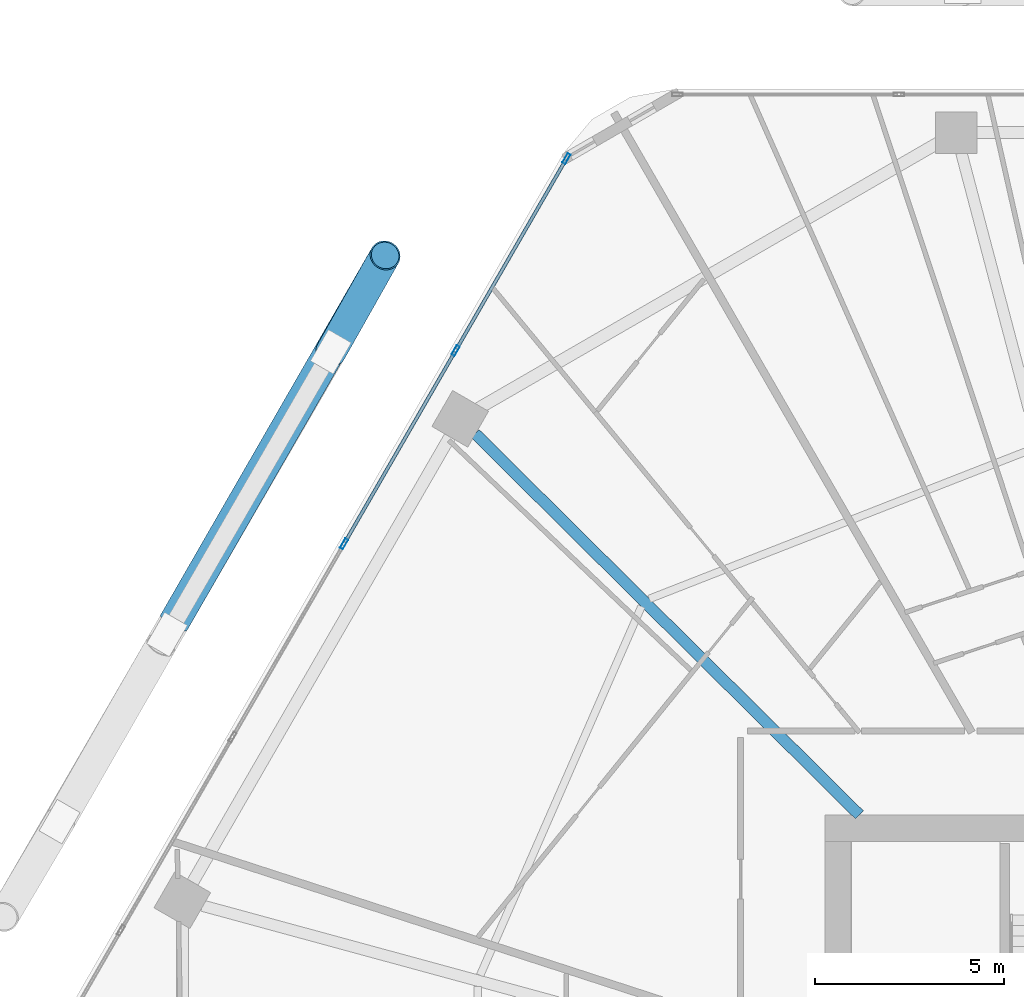
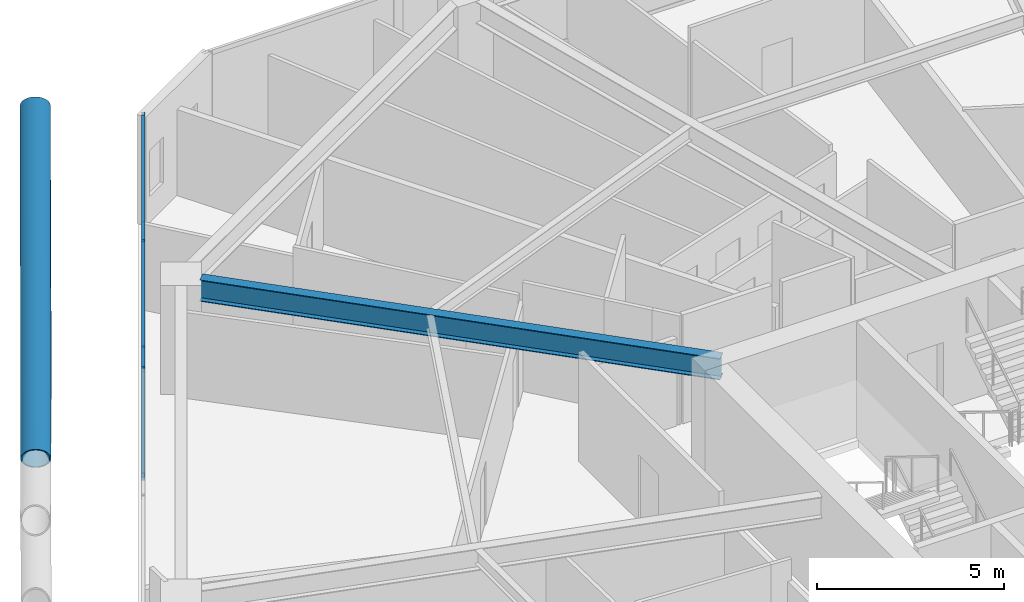
# One storey, part 16 of 34: 9 members, 1 beam, 1 element without a shape of its own.
"""IFC4 building model written with IfcOpenShell, lengths in metres."""

import ifcopenshell
import ifcopenshell.guid

model = None  # the IFC model being written
_history = None  # IfcOwnerHistory: only IFC2X3 demands one
_inside = {}  # id of a spatial element -> (the spatial element, [elements in it])
_under = {}  # id of a project, library or spatial element -> (it, [spatial elements below it])
_declared = {}  # id of a project -> (the project, [libraries it declares])
_typed = {}  # id of a type object -> (the type object, [elements of that type])
_made_of = {}  # id of a material, layer set ... -> (it, [elements and type objects made of it])


def new_model(schema):
    """Start an empty IFC model of exactly this schema.

    Asked for "IFC4X3", IfcOpenShell would pick the latest addendum, in which some entities
    have other attributes; the version numbers below select the first issue.
    IFC2X3 requires an IfcOwnerHistory on every rooted entity: one is made here for all.
    """
    global model, _history
    if schema == "IFC4X3":
        model = ifcopenshell.file(schema_version=(4, 3, 0, 0))
    else:
        model = ifcopenshell.file(schema=schema)
    _inside.clear()
    _under.clear()
    _declared.clear()
    _typed.clear()
    _made_of.clear()
    _history = None
    if model.schema == "IFC2X3":
        org = make("IfcOrganization", Name="unknown")
        user = make(
            "IfcPersonAndOrganization",
            ThePerson=make("IfcPerson", FamilyName="unknown"),
            TheOrganization=org,
        )
        app = make(
            "IfcApplication",
            ApplicationDeveloper=org,
            Version="unknown",
            ApplicationFullName="unknown",
            ApplicationIdentifier="unknown",
        )
        _history = make(
            "IfcOwnerHistory",
            OwningUser=user,
            OwningApplication=app,
            ChangeAction="ADDED",
            CreationDate=0,
        )
    return model


def make(cls, **values):
    """One entity of the class cls with the attributes given. An attribute that is None is left unset."""
    return model.create_entity(
        cls, **{name: value for name, value in values.items() if value is not None}
    )


def rooted(cls, **values):
    """An entity with a GlobalId (a new one), such as an element, a storey or a relation."""
    return make(cls, GlobalId=ifcopenshell.guid.new(), OwnerHistory=_history, **values)


def si_unit(unit_type, name, prefix=None):
    """IfcSIUnit, for example si_unit("LENGTHUNIT", "METRE", prefix="MILLI")."""
    return make("IfcSIUnit", UnitType=unit_type, Prefix=prefix, Name=name)


def assignment(units):
    """IfcUnitAssignment: the units of a project."""
    return None if units is None else make("IfcUnitAssignment", Units=units)


def point(xyz):
    """IfcCartesianPoint."""
    return None if xyz is None else make("IfcCartesianPoint", Coordinates=xyz)


def direction(xyz):
    """IfcDirection."""
    return None if xyz is None else make("IfcDirection", DirectionRatios=xyz)


def frame(location, z_axis=None, x_axis=None):
    """IfcAxis2Placement3D, a coordinate frame: its origin and axes. An axis left out is left unset."""
    return make(
        "IfcAxis2Placement3D",
        Location=point(location),
        Axis=direction(z_axis),
        RefDirection=direction(x_axis),
    )


def frame_2d(location, x_axis=None):
    """IfcAxis2Placement2D, a coordinate frame in the plane: its origin and x axis."""
    return make(
        "IfcAxis2Placement2D", Location=point(location), RefDirection=direction(x_axis)
    )


def origin():
    """The frame at (0, 0, 0) with its axes left unset."""
    return frame((0.0, 0.0, 0.0))


def origin_2d():
    """The frame at (0, 0) in the plane with its x axis left unset."""
    return frame_2d((0.0, 0.0))


def place(relative_to, where):
    """IfcLocalPlacement: puts the frame where relative to a parent placement (None: the world)."""
    return make(
        "IfcLocalPlacement", PlacementRelTo=relative_to, RelativePlacement=where
    )


def context(
    kind, dimensions, precision=None, world=None, true_north=None, identifier=None
):
    """IfcGeometricRepresentationContext, for example the 3D "Model" context."""
    return make(
        "IfcGeometricRepresentationContext",
        ContextIdentifier=identifier,
        ContextType=kind,
        CoordinateSpaceDimension=dimensions,
        Precision=precision,
        WorldCoordinateSystem=world,
        TrueNorth=true_north,
    )


def subcontext(parent, identifier, kind, view, scale=None):
    """IfcGeometricRepresentationSubContext, for example "Body" below "Model"."""
    return make(
        "IfcGeometricRepresentationSubContext",
        ContextIdentifier=identifier,
        ContextType=kind,
        ParentContext=parent,
        TargetScale=scale,
        TargetView=view,
    )


def project(units=None, contexts=None):
    """IfcProject with its units and contexts."""
    return rooted(
        "IfcProject",
        Name="project",
        RepresentationContexts=contexts,
        UnitsInContext=assignment(units),
    )


def spatial(cls, under=None, at=None, **own):
    """A site, building, storey or space (cls), placed at a placement, below another one or the project."""
    s = rooted(cls, ObjectPlacement=at, **own)
    if under is not None:
        _under.setdefault(under.id(), (under, []))[1].append(s)
    return s


def profile(cls, at=None, kind="AREA", **sizes):
    """A parametric profile (cls). Its sizes go by their IFC names, for example OverallWidth=200.0."""
    return make(cls, ProfileType=kind, Position=at, **sizes)


def hollow_rectangle(**sizes):
    """IfcRectangleHollowProfileDef."""
    return profile("IfcRectangleHollowProfileDef", **sizes)


def hollow_circle(**sizes):
    """IfcCircleHollowProfileDef."""
    return profile("IfcCircleHollowProfileDef", **sizes)


def i_section(**sizes):
    """IfcIShapeProfileDef."""
    return profile("IfcIShapeProfileDef", **sizes)


def extrude(swept, where, along, depth):
    """IfcExtrudedAreaSolid: the profile swept, set in the frame where, extruded along a direction by depth."""
    return make(
        "IfcExtrudedAreaSolid",
        SweptArea=swept,
        Position=where,
        ExtrudedDirection=direction(along),
        Depth=depth,
    )


def shape(context_of_items, identifier, shape_type, items):
    """IfcShapeRepresentation: the items that make up one representation, for example the "Body"."""
    return make(
        "IfcShapeRepresentation",
        ContextOfItems=context_of_items,
        RepresentationIdentifier=identifier,
        RepresentationType=shape_type,
        Items=items,
    )


def material(Name=None, Category=None):
    """IfcMaterial."""
    return make("IfcMaterial", Name=Name, Category=Category)


def material_profile(
    of_material, cross_section, Name=None, Category=None, Priority=None
):
    """IfcMaterialProfile: a cross section and its material."""
    return make(
        "IfcMaterialProfile",
        Name=Name,
        Material=of_material,
        Profile=cross_section,
        Priority=Priority,
        Category=Category,
    )


def profile_set(profiles, Name=None, composite=None):
    """IfcMaterialProfileSet."""
    return make(
        "IfcMaterialProfileSet",
        Name=Name,
        MaterialProfiles=profiles,
        CompositeProfile=composite,
    )


def made_of(thing, what):
    """Note that an element or type object is made of a material, layer set ...; save() writes the relation."""
    if what is not None:
        _made_of.setdefault(what.id(), (what, []))[1].append(thing)
    return thing


def type_object(cls, material=None, **own):
    """A type object (cls), such as IfcWallType, which elements share."""
    return made_of(rooted(cls, **own), material)


def element(
    cls,
    number,
    at=None,
    inside=None,
    cuts=None,
    type_object=None,
    material=None,
    context=None,
    identifier="Body",
    shape_type=None,
    held_by="IfcProductDefinitionShape",
    body=None,
    shapes=None,
    **own,
):
    """One element of the class cls, such as IfcWall. Its Tag is "e" and its number.

    at: its placement. inside: the storey or other place that contains it. cuts: it is an
    opening in that element (IfcRelVoidsElement). A single representation is given by context,
    identifier, shape_type and body (its items); several are given by shapes. held_by: the class
    of the entity that holds the representations. save() writes the other relations.
    """
    e = rooted(cls, Tag="e%d" % number, ObjectPlacement=at, **own)
    if body is not None:
        shapes = [shape(context, identifier, shape_type, body)]
    if shapes is not None:
        e.Representation = make(held_by, Representations=shapes)
    if inside is not None:
        _inside.setdefault(inside.id(), (inside, []))[1].append(e)
    if cuts is not None:
        rooted(
            "IfcRelVoidsElement", RelatingBuildingElement=cuts, RelatedOpeningElement=e
        )
    if type_object is not None:
        _typed.setdefault(type_object.id(), (type_object, []))[1].append(e)
    return made_of(e, material)


def aggregate(whole, parts):
    """IfcRelAggregates: a whole, such as a stair, and the parts it consists of."""
    return rooted("IfcRelAggregates", RelatingObject=whole, RelatedObjects=parts)


def save(model, path):
    """Write the relations noted so far, then the file.

    IfcRelAggregates (storeys below a building ...), IfcRelContainedInSpatialStructure (elements
    in a storey), IfcRelDefinesByType, IfcRelAssociatesMaterial and IfcRelDeclares: one each for
    every whole, place, type object, material and project.
    """
    for whole, parts in _under.values():
        aggregate(whole, parts)
    for where, things in _inside.values():
        rooted(
            "IfcRelContainedInSpatialStructure",
            RelatedElements=things,
            RelatingStructure=where,
        )
    for kind, things in _typed.values():
        rooted("IfcRelDefinesByType", RelatedObjects=things, RelatingType=kind)
    for what, things in _made_of.values():
        rooted("IfcRelAssociatesMaterial", RelatedObjects=things, RelatingMaterial=what)
    for by, libraries in _declared.values():
        rooted("IfcRelDeclares", RelatingContext=by, RelatedDefinitions=libraries)
    model.write(path)


model = new_model("IFC4")

# Units and contexts
model_context = context("Model", 3, precision=1e-05, world=origin(), true_north=direction((0.0, 1.0)))
body_context = subcontext(model_context, "Body", "Model", "MODEL_VIEW")
ifc_project = project(units=[si_unit("LENGTHUNIT", "METRE"), si_unit("AREAUNIT", "SQUARE_METRE"), si_unit("VOLUMEUNIT", "CUBIC_METRE"), si_unit("PLANEANGLEUNIT", "RADIAN"), si_unit("MASSUNIT", "GRAM", prefix="KILO")], contexts=[model_context])

# Site, building, storey
site_placement = place(None, origin())
site = spatial("IfcSite", under=ifc_project, at=site_placement, CompositionType="ELEMENT")
building_placement = place(site_placement, origin())
building = spatial("IfcBuilding", under=site, at=building_placement, Name="Zuhravey Tower", CompositionType="ELEMENT")
storey_placement = place(building_placement, frame((0.0, 0.0, 100.0)))
storey = spatial("IfcBuildingStorey", under=building, at=storey_placement, Name="L24", CompositionType="ELEMENT", Elevation=100.0)

# Curtain wall, members
ifc_material_1 = material(Name="Thermally broken anodised aluminium", Category="aluminium")
curtain_wall_type = type_object("IfcCurtainWallType", Name="Zone 1-2 Residential Curtain Wall CW3", PredefinedType="NOTDEFINED", material=ifc_material_1)
curtain_wall_placement = place(storey_placement, origin())
curtain_wall = element("IfcCurtainWall", 1, at=curtain_wall_placement, inside=storey, type_object=curtain_wall_type, Name="L24 CW3 CW-L24-F3-1", PredefinedType="NOTDEFINED")
ifc_material_2 = material(Name="Anodised aluminium", Category="aluminium")
ifc_material_profile_1 = material_profile(ifc_material_2, hollow_rectangle(XDim=0.090087890625, YDim=0.284912109375, WallThickness=0.0048828125, at=origin_2d()), Name="ALU-RHS-90x285x5")
ifc_profile_set_1 = profile_set([ifc_material_profile_1], Name="Anodised aluminium")
member_type_1 = type_object("IfcMemberType", Name="Curtain-Wall Mullion 90x180", PredefinedType="MULLION", material=ifc_profile_set_1)
member_1_placement = place(storey_placement, frame((12.401123046875, 49.04248046875, 0.0), z_axis=(0.0, 0.0, 1.0), x_axis=(-0.86602552265, 0.499999794119, 0.0)))
member_1 = element("IfcMember", 2, at=member_1_placement, type_object=member_type_1, Name="CW3 mullion 4", PredefinedType="MULLION", context=body_context, shape_type="SweptSolid", body=[
    extrude(hollow_rectangle(XDim=0.090087890625, YDim=0.284912109375, WallThickness=0.0048828125, at=origin_2d()), origin(), (0.0, 0.0, 1.0), 3.550048828125),
])
member_2_placement = place(storey_placement, frame((15.361083984375, 54.169189453125, 0.0), z_axis=(0.0, 0.0, 1.0), x_axis=(-0.86602552265, 0.499999794119, 0.0)))
member_2 = element("IfcMember", 3, at=member_2_placement, type_object=member_type_1, Name="CW3 mullion 5", PredefinedType="MULLION", context=body_context, shape_type="SweptSolid", body=[
    extrude(hollow_rectangle(XDim=0.090087890625, YDim=0.284912109375, WallThickness=0.0048828125, at=origin_2d()), origin(), (0.0, 0.0, 1.0), 3.550048828125),
])
member_3_placement = place(storey_placement, frame((18.298583984375, 59.257080078125, 0.0), z_axis=(0.0, 0.0, 1.0), x_axis=(-0.86602552265, 0.499999794119, 0.0)))
member_3 = element("IfcMember", 4, at=member_3_placement, type_object=member_type_1, Name="CW3 mullion 6", PredefinedType="MULLION", context=body_context, shape_type="SweptSolid", body=[
    extrude(hollow_rectangle(XDim=0.090087890625, YDim=0.284912109375, WallThickness=0.0048828125, at=origin_2d()), origin(), (0.0, 0.0, 1.0), 3.550048828125),
])
ifc_material_profile_2 = material_profile(ifc_material_2, hollow_rectangle(XDim=0.090087890625, YDim=0.14990234375, WallThickness=0.0048828125, at=origin_2d()), Name="ALU-RHS-90x150x5")
ifc_profile_set_2 = profile_set([ifc_material_profile_2], Name="Anodised aluminium")
member_type_2 = type_object("IfcMemberType", Name="Curtain-Wall Transom 90x150", PredefinedType="USERDEFINED", material=ifc_profile_set_2)
member_4_placement = place(storey_placement, frame((12.423583984375, 49.08154296875, 0.044921875), z_axis=(0.500012451049, 0.866018215049, 0.0), x_axis=(-0.866018215049, 0.500012451049, 0.0)))
member_4 = element("IfcMember", 5, at=member_4_placement, type_object=member_type_2, Name="CW3 transom 4.1", ObjectType="TRANSOM", PredefinedType="USERDEFINED", context=body_context, shape_type="SweptSolid", body=[
    extrude(hollow_rectangle(XDim=0.090087890625, YDim=0.14990234375, WallThickness=0.0048828125, at=origin_2d()), origin(), (0.0, 0.0, 1.0), 5.829833984375),
])
member_5_placement = place(storey_placement, frame((12.423583984375, 49.08154296875, 3.5048828125), z_axis=(0.500012451049, 0.866018215049, 0.0), x_axis=(-0.866018215049, 0.500012451049, 0.0)))
member_5 = element("IfcMember", 6, at=member_5_placement, type_object=member_type_2, Name="CW3 transom 4.2", ObjectType="TRANSOM", PredefinedType="USERDEFINED", context=body_context, shape_type="SweptSolid", body=[
    extrude(hollow_rectangle(XDim=0.090087890625, YDim=0.14990234375, WallThickness=0.0048828125, at=origin_2d()), origin(), (0.0, 0.0, 1.0), 5.829833984375),
])
member_6_placement = place(storey_placement, frame((15.383544921875, 54.208251953125, 0.044921875), z_axis=(0.499992798144, 0.866029561738, 0.0), x_axis=(-0.866029561738, 0.499992798144, 0.0)))
member_6 = element("IfcMember", 7, at=member_6_placement, type_object=member_type_2, Name="CW3 transom 5.1", ObjectType="TRANSOM", PredefinedType="USERDEFINED", context=body_context, shape_type="SweptSolid", body=[
    extrude(hollow_rectangle(XDim=0.090087890625, YDim=0.14990234375, WallThickness=0.0048828125, at=origin_2d()), origin(), (0.0, 0.0, 1.0), 5.78466796875),
])
member_7_placement = place(storey_placement, frame((15.383544921875, 54.208251953125, 3.5048828125), z_axis=(0.499992798144, 0.866029561738, 0.0), x_axis=(-0.866029561738, 0.499992798144, 0.0)))
member_7 = element("IfcMember", 8, at=member_7_placement, type_object=member_type_2, Name="CW3 transom 5.2", ObjectType="TRANSOM", PredefinedType="USERDEFINED", context=body_context, shape_type="SweptSolid", body=[
    extrude(hollow_rectangle(XDim=0.090087890625, YDim=0.14990234375, WallThickness=0.0048828125, at=origin_2d()), origin(), (0.0, 0.0, 1.0), 5.78466796875),
])
aggregate(curtain_wall, [member_1, member_2, member_3, member_4, member_5, member_6, member_7])

# Members
ifc_material_3 = material(Name="Steel SM460", Category="steel")
ifc_material_profile_3 = material_profile(ifc_material_3, hollow_circle(Radius=0.406494140625, WallThickness=0.035888671875, at=origin_2d()), Name="CHS-812.8x36")
ifc_profile_set_3 = profile_set([ifc_material_profile_3], Name="Steel SM460")
member_type_3 = type_object("IfcMemberType", Name="Exoskeleton Zone 1 Diagrid CHS813x36", PredefinedType="BRACE", material=ifc_profile_set_3)
member_8_placement = place(storey_placement, frame((12.05419921875, 54.1416015625, -0.44189453125), z_axis=(0.177348692766, 0.314593561191, 0.93251184037), x_axis=(-0.871113923264, 0.491080983846, 0.0)))
element("IfcMember", 9, at=member_8_placement, inside=storey, type_object=member_type_3, Name="L24 Face 3 Diagrid Brace 1", PredefinedType="BRACE", context=body_context, shape_type="SweptSolid", body=[
    extrude(hollow_circle(Radius=0.406494140625, WallThickness=0.035888671875, at=origin_2d()), origin(), (0.0, 0.0, 1.0), 8.102783203125),
])
member_9_placement = place(storey_placement, frame((7.892333984375, 46.9638671875, 3.459228515625), z_axis=(0.474116728479, 0.823664703485, 0.311110565571), x_axis=(-0.866674532719, 0.498873986429, 0.0)))
element("IfcMember", 10, at=member_9_placement, inside=storey, type_object=member_type_3, Name="L24 Face 3 Split Diagrid Brace 3B", PredefinedType="BRACE", context=body_context, shape_type="SweptSolid", body=[
    extrude(hollow_circle(Radius=0.406494140625, WallThickness=0.035888671875, at=origin_2d()), origin(), (0.0, 0.0, 1.0), 11.76318359375),
])

# Beam
ifc_material_4 = material(Name="Steel SM355", Category="steel")
ifc_material_profile_4 = material_profile(ifc_material_4, i_section(OverallWidth=0.300048828125, OverallDepth=0.699951171875, WebThickness=0.012939453125, FlangeThickness=0.02392578125, at=origin_2d()), Name="H-700x300x13x24")
ifc_profile_set_4 = profile_set([ifc_material_profile_4], Name="Steel SM355")
beam_type = type_object("IfcBeamType", Name="Radial Primary Girder H700x300", PredefinedType="BEAM", material=ifc_profile_set_4)
beam_placement = place(storey_placement, frame((26.068603515625, 41.85302734375, 3.199951171875), z_axis=(-0.709906230344, 0.704296204816, 0.0), x_axis=(-0.704296204816, -0.709906230344, 0.0)))
element("IfcBeam", 11, at=beam_placement, inside=storey, type_object=beam_type, Name="L24 RG1 BM-L24-RAD-05", PredefinedType="BEAM", context=body_context, shape_type="SweptSolid", body=[
    extrude(i_section(OverallWidth=0.300048828125, OverallDepth=0.699951171875, WebThickness=0.012939453125, FlangeThickness=0.02392578125, at=origin_2d()), origin(), (0.0, 0.0, 1.0), 14.361083984375),
])

save(model, "model.ifc")
